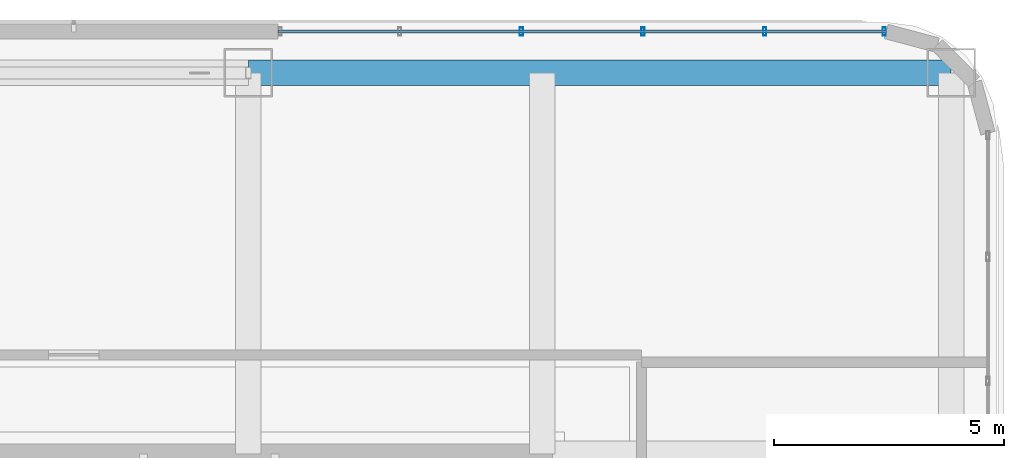
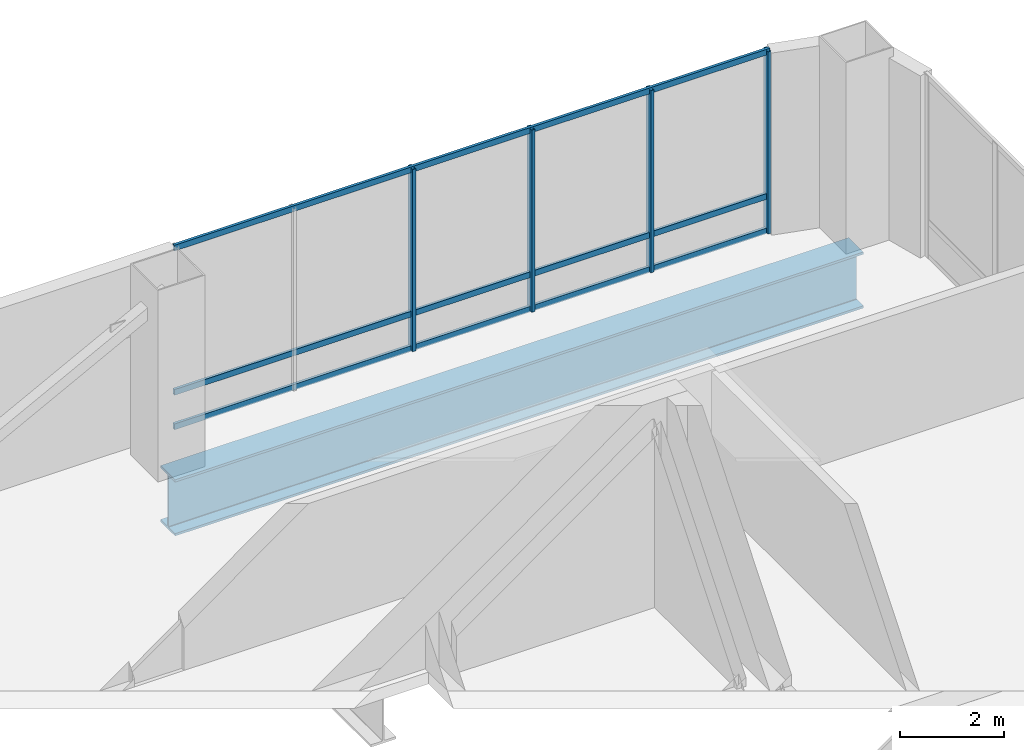
# One storey, part 24 of 33: 7 members, 1 beam, 1 element without a shape of its own.
"""IFC4 building model written with IfcOpenShell, lengths in metres."""

from ifc_helpers import new_model, si_unit, direction, frame, origin, origin_2d, place, context, subcontext, project, spatial, hollow_rectangle, i_section, extrude, material, material_profile, profile_set, type_object, element, aggregate, save


model = new_model("IFC4")

# Units and contexts
model_context = context("Model", 3, precision=1e-05, world=origin(), true_north=direction((0.0, 1.0)))
body_context = subcontext(model_context, "Body", "Model", "MODEL_VIEW")
ifc_project = project(units=[si_unit("LENGTHUNIT", "METRE"), si_unit("AREAUNIT", "SQUARE_METRE"), si_unit("VOLUMEUNIT", "CUBIC_METRE"), si_unit("PLANEANGLEUNIT", "RADIAN"), si_unit("MASSUNIT", "GRAM", prefix="KILO")], contexts=[model_context])

# Site, building, storey
site_placement = place(None, origin())
site = spatial("IfcSite", under=ifc_project, at=site_placement, CompositionType="ELEMENT")
building_placement = place(site_placement, origin())
building = spatial("IfcBuilding", under=site, at=building_placement, Name="Punatoya Terracotta Tower", CompositionType="ELEMENT")
storey_placement = place(building_placement, frame((0.0, 0.0, 343.800048828125)))
storey = spatial("IfcBuildingStorey", under=building, at=storey_placement, Name="L81", CompositionType="ELEMENT", Elevation=343.800048828125)

# Beam
ifc_material_1 = material(Name="Steel S460", Category="steel")
ifc_material_profile_1 = material_profile(ifc_material_1, i_section(OverallWidth=0.56005859375, OverallDepth=1.320068359375, WebThickness=0.035888671875, FlangeThickness=0.054931640625, FilletRadius=0.01806640625, at=origin_2d()))
ifc_profile_set_1 = profile_set([ifc_material_profile_1], Name="Steel S460")
beam_type = type_object("IfcBeamType", Name="BM-TG-BLK", PredefinedType="BEAM", material=ifc_profile_set_1)
beam_placement = place(storey_placement, frame((3.800048828125, 17.5, -0.93994140625), z_axis=(1.0, 0.0, 0.0), x_axis=(0.0, 1.0, 0.0)))
element("IfcBeam", 1, at=beam_placement, inside=storey, type_object=beam_type, Name="BM-L81-RG-N3", PredefinedType="BEAM", context=body_context, shape_type="SweptSolid", body=[
    extrude(i_section(OverallWidth=0.56005859375, OverallDepth=1.320068359375, WebThickness=0.035888671875, FlangeThickness=0.054931640625, FilletRadius=0.01806640625, at=origin_2d()), origin(), (0.0, 0.0, 1.0), 15.300048828125),
])

# Curtain wall, members
ifc_material_2 = material(Name="Aluminium 6063-T6 + Double Low-E Glass", Category="aluminium")
curtain_wall_type = type_object("IfcCurtainWallType", Name="CW-CRN", PredefinedType="NOTDEFINED", material=ifc_material_2)
curtain_wall_placement = place(storey_placement, origin())
curtain_wall = element("IfcCurtainWall", 2, at=curtain_wall_placement, inside=storey, type_object=curtain_wall_type, Name="L81 Curtain Wall CW-L81-N09-1", PredefinedType="NOTDEFINED")
ifc_material_3 = material(Name="Aluminium 6063-T6", Category="aluminium")
ifc_material_profile_2 = material_profile(ifc_material_3, hollow_rectangle(XDim=0.070068359375, YDim=0.179931640625, WallThickness=0.00390625, at=origin_2d()))
ifc_profile_set_2 = profile_set([ifc_material_profile_2], Name="Aluminium 6063-T6")
member_type_1 = type_object("IfcMemberType", Name="CW-MUL-M3", PredefinedType="MULLION", material=ifc_profile_set_2)
member_1_placement = place(storey_placement, frame((17.641845703125, 18.39990234375, 0.0), z_axis=(0.0, 0.0, 1.0), x_axis=(1.0, 0.0, 0.0)))
member_1 = element("IfcMember", 3, at=member_1_placement, type_object=member_type_1, Name="CW-L81-N09-1 Mullion 00", PredefinedType="MULLION", context=body_context, shape_type="SweptSolid", body=[
    extrude(hollow_rectangle(XDim=0.070068359375, YDim=0.179931640625, WallThickness=0.00390625, at=origin_2d()), origin(), (0.0, 0.0, 1.0), 4.280029296875),
])
member_2_placement = place(storey_placement, frame((15.03955078125, 18.39990234375, 0.0), z_axis=(0.0, 0.0, 1.0), x_axis=(1.0, 0.0, 0.0)))
member_2 = element("IfcMember", 4, at=member_2_placement, type_object=member_type_1, Name="CW-L81-N09-1 Mullion 01", PredefinedType="MULLION", context=body_context, shape_type="SweptSolid", body=[
    extrude(hollow_rectangle(XDim=0.070068359375, YDim=0.179931640625, WallThickness=0.00390625, at=origin_2d()), origin(), (0.0, 0.0, 1.0), 4.280029296875),
])
member_3_placement = place(storey_placement, frame((12.39208984375, 18.39990234375, 0.0), z_axis=(0.0, 0.0, 1.0), x_axis=(1.0, 0.0, 0.0)))
member_3 = element("IfcMember", 5, at=member_3_placement, type_object=member_type_1, Name="CW-L81-N09-1 Mullion 02", PredefinedType="MULLION", context=body_context, shape_type="SweptSolid", body=[
    extrude(hollow_rectangle(XDim=0.070068359375, YDim=0.179931640625, WallThickness=0.00390625, at=origin_2d()), origin(), (0.0, 0.0, 1.0), 4.280029296875),
])
member_4_placement = place(storey_placement, frame((9.744873046875, 18.39990234375, 0.0), z_axis=(0.0, 0.0, 1.0), x_axis=(1.0, 0.0, 0.0)))
member_4 = element("IfcMember", 6, at=member_4_placement, type_object=member_type_1, Name="CW-L81-N09-1 Mullion 03", PredefinedType="MULLION", context=body_context, shape_type="SweptSolid", body=[
    extrude(hollow_rectangle(XDim=0.070068359375, YDim=0.179931640625, WallThickness=0.00390625, at=origin_2d()), origin(), (0.0, 0.0, 1.0), 4.280029296875),
])
ifc_material_profile_3 = material_profile(ifc_material_3, hollow_rectangle(XDim=0.06201171875, YDim=0.135009765625, WallThickness=0.00390625, at=origin_2d()))
ifc_profile_set_3 = profile_set([ifc_material_profile_3], Name="Aluminium 6063-T6")
member_type_2 = type_object("IfcMemberType", Name="CW-TRN-CRN", PredefinedType="USERDEFINED", material=ifc_profile_set_3)
member_5_placement = place(storey_placement, frame((17.68701171875, 18.39990234375, 0.0400390625), z_axis=(-1.0, 0.0, 0.0), x_axis=(0.0, -1.0, 0.0)))
member_5 = element("IfcMember", 7, at=member_5_placement, type_object=member_type_2, Name="CW-L81-N09-1 Transom 1", ObjectType="TRANSOM", PredefinedType="USERDEFINED", context=body_context, shape_type="SweptSolid", body=[
    extrude(hollow_rectangle(XDim=0.06201171875, YDim=0.135009765625, WallThickness=0.00390625, at=origin_2d()), origin(), (0.0, 0.0, 1.0), 13.237060546875),
])
member_6_placement = place(storey_placement, frame((17.68701171875, 18.39990234375, 0.849853515625), z_axis=(-1.0, 0.0, 0.0), x_axis=(0.0, -1.0, 0.0)))
member_6 = element("IfcMember", 8, at=member_6_placement, type_object=member_type_2, Name="CW-L81-N09-1 Transom 2", ObjectType="TRANSOM", PredefinedType="USERDEFINED", context=body_context, shape_type="SweptSolid", body=[
    extrude(hollow_rectangle(XDim=0.06201171875, YDim=0.135009765625, WallThickness=0.00390625, at=origin_2d()), origin(), (0.0, 0.0, 1.0), 13.237060546875),
])
member_7_placement = place(storey_placement, frame((17.68701171875, 18.39990234375, 4.239990234375), z_axis=(-1.0, 0.0, 0.0), x_axis=(0.0, -1.0, 0.0)))
member_7 = element("IfcMember", 9, at=member_7_placement, type_object=member_type_2, Name="CW-L81-N09-1 Transom 3", ObjectType="TRANSOM", PredefinedType="USERDEFINED", context=body_context, shape_type="SweptSolid", body=[
    extrude(hollow_rectangle(XDim=0.06201171875, YDim=0.135009765625, WallThickness=0.00390625, at=origin_2d()), origin(), (0.0, 0.0, 1.0), 13.237060546875),
])
aggregate(curtain_wall, [member_1, member_2, member_3, member_4, member_5, member_6, member_7])

save(model, "model.ifc")
